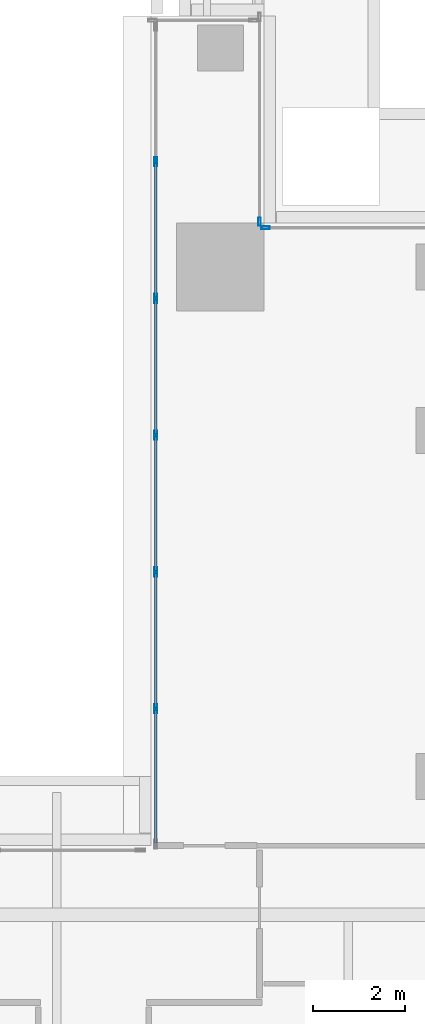
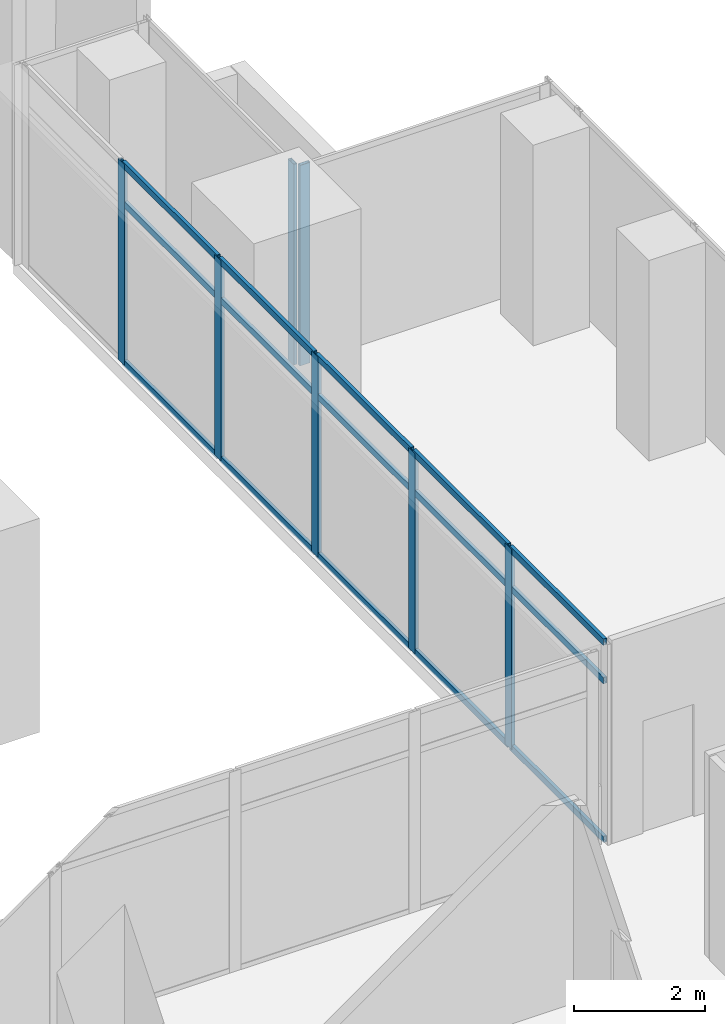
# One storey, part 23 of 43: 22 members, 3 elements without a shape of their own.
"""IFC4 building model written with IfcOpenShell, lengths in metres."""

import ifcopenshell
import ifcopenshell.guid

model = None  # the IFC model being written
_history = None  # IfcOwnerHistory: only IFC2X3 demands one
_inside = {}  # id of a spatial element -> (the spatial element, [elements in it])
_under = {}  # id of a project, library or spatial element -> (it, [spatial elements below it])
_declared = {}  # id of a project -> (the project, [libraries it declares])
_typed = {}  # id of a type object -> (the type object, [elements of that type])
_made_of = {}  # id of a material, layer set ... -> (it, [elements and type objects made of it])


def new_model(schema):
    """Start an empty IFC model of exactly this schema.

    Asked for "IFC4X3", IfcOpenShell would pick the latest addendum, in which some entities
    have other attributes; the version numbers below select the first issue.
    IFC2X3 requires an IfcOwnerHistory on every rooted entity: one is made here for all.
    """
    global model, _history
    if schema == "IFC4X3":
        model = ifcopenshell.file(schema_version=(4, 3, 0, 0))
    else:
        model = ifcopenshell.file(schema=schema)
    _inside.clear()
    _under.clear()
    _declared.clear()
    _typed.clear()
    _made_of.clear()
    _history = None
    if model.schema == "IFC2X3":
        org = make("IfcOrganization", Name="unknown")
        user = make(
            "IfcPersonAndOrganization",
            ThePerson=make("IfcPerson", FamilyName="unknown"),
            TheOrganization=org,
        )
        app = make(
            "IfcApplication",
            ApplicationDeveloper=org,
            Version="unknown",
            ApplicationFullName="unknown",
            ApplicationIdentifier="unknown",
        )
        _history = make(
            "IfcOwnerHistory",
            OwningUser=user,
            OwningApplication=app,
            ChangeAction="ADDED",
            CreationDate=0,
        )
    return model


def make(cls, **values):
    """One entity of the class cls with the attributes given. An attribute that is None is left unset."""
    return model.create_entity(
        cls, **{name: value for name, value in values.items() if value is not None}
    )


def rooted(cls, **values):
    """An entity with a GlobalId (a new one), such as an element, a storey or a relation."""
    return make(cls, GlobalId=ifcopenshell.guid.new(), OwnerHistory=_history, **values)


def si_unit(unit_type, name, prefix=None):
    """IfcSIUnit, for example si_unit("LENGTHUNIT", "METRE", prefix="MILLI")."""
    return make("IfcSIUnit", UnitType=unit_type, Prefix=prefix, Name=name)


def assignment(units):
    """IfcUnitAssignment: the units of a project."""
    return None if units is None else make("IfcUnitAssignment", Units=units)


def point(xyz):
    """IfcCartesianPoint."""
    return None if xyz is None else make("IfcCartesianPoint", Coordinates=xyz)


def direction(xyz):
    """IfcDirection."""
    return None if xyz is None else make("IfcDirection", DirectionRatios=xyz)


def frame(location, z_axis=None, x_axis=None):
    """IfcAxis2Placement3D, a coordinate frame: its origin and axes. An axis left out is left unset."""
    return make(
        "IfcAxis2Placement3D",
        Location=point(location),
        Axis=direction(z_axis),
        RefDirection=direction(x_axis),
    )


def frame_2d(location, x_axis=None):
    """IfcAxis2Placement2D, a coordinate frame in the plane: its origin and x axis."""
    return make(
        "IfcAxis2Placement2D", Location=point(location), RefDirection=direction(x_axis)
    )


def origin():
    """The frame at (0, 0, 0) with its axes left unset."""
    return frame((0.0, 0.0, 0.0))


def origin_2d():
    """The frame at (0, 0) in the plane with its x axis left unset."""
    return frame_2d((0.0, 0.0))


def place(relative_to, where):
    """IfcLocalPlacement: puts the frame where relative to a parent placement (None: the world)."""
    return make(
        "IfcLocalPlacement", PlacementRelTo=relative_to, RelativePlacement=where
    )


def context(
    kind, dimensions, precision=None, world=None, true_north=None, identifier=None
):
    """IfcGeometricRepresentationContext, for example the 3D "Model" context."""
    return make(
        "IfcGeometricRepresentationContext",
        ContextIdentifier=identifier,
        ContextType=kind,
        CoordinateSpaceDimension=dimensions,
        Precision=precision,
        WorldCoordinateSystem=world,
        TrueNorth=true_north,
    )


def subcontext(parent, identifier, kind, view, scale=None):
    """IfcGeometricRepresentationSubContext, for example "Body" below "Model"."""
    return make(
        "IfcGeometricRepresentationSubContext",
        ContextIdentifier=identifier,
        ContextType=kind,
        ParentContext=parent,
        TargetScale=scale,
        TargetView=view,
    )


def project(units=None, contexts=None):
    """IfcProject with its units and contexts."""
    return rooted(
        "IfcProject",
        Name="project",
        RepresentationContexts=contexts,
        UnitsInContext=assignment(units),
    )


def spatial(cls, under=None, at=None, **own):
    """A site, building, storey or space (cls), placed at a placement, below another one or the project."""
    s = rooted(cls, ObjectPlacement=at, **own)
    if under is not None:
        _under.setdefault(under.id(), (under, []))[1].append(s)
    return s


def profile(cls, at=None, kind="AREA", **sizes):
    """A parametric profile (cls). Its sizes go by their IFC names, for example OverallWidth=200.0."""
    return make(cls, ProfileType=kind, Position=at, **sizes)


def hollow_rectangle(**sizes):
    """IfcRectangleHollowProfileDef."""
    return profile("IfcRectangleHollowProfileDef", **sizes)


def extrude(swept, where, along, depth):
    """IfcExtrudedAreaSolid: the profile swept, set in the frame where, extruded along a direction by depth."""
    return make(
        "IfcExtrudedAreaSolid",
        SweptArea=swept,
        Position=where,
        ExtrudedDirection=direction(along),
        Depth=depth,
    )


def shape(context_of_items, identifier, shape_type, items):
    """IfcShapeRepresentation: the items that make up one representation, for example the "Body"."""
    return make(
        "IfcShapeRepresentation",
        ContextOfItems=context_of_items,
        RepresentationIdentifier=identifier,
        RepresentationType=shape_type,
        Items=items,
    )


def source(mapping_origin, context_of_items, identifier, shape_type, items):
    """IfcRepresentationMap: a shape defined once, which mapped items show again and again."""
    return make(
        "IfcRepresentationMap",
        MappingOrigin=mapping_origin,
        MappedRepresentation=shape(context_of_items, identifier, shape_type, items),
    )


def transform(
    local_origin,
    x_axis=None,
    y_axis=None,
    z_axis=None,
    scale=None,
    scale2=None,
    scale3=None,
    uniform=True,
):
    """IfcCartesianTransformationOperator3D, or its non-uniform kind. x_axis, y_axis, z_axis: its Axis1, 2, 3."""
    if uniform:
        return make(
            "IfcCartesianTransformationOperator3D",
            Axis1=direction(x_axis),
            Axis2=direction(y_axis),
            LocalOrigin=point(local_origin),
            Scale=scale,
            Axis3=direction(z_axis),
        )
    return make(
        "IfcCartesianTransformationOperator3DnonUniform",
        Axis1=direction(x_axis),
        Axis2=direction(y_axis),
        LocalOrigin=point(local_origin),
        Scale=scale,
        Axis3=direction(z_axis),
        Scale2=scale2,
        Scale3=scale3,
    )


def mapped(mapping_source, mapping_target):
    """IfcMappedItem: shows the shape of a source again, moved by a transform."""
    return make(
        "IfcMappedItem", MappingSource=mapping_source, MappingTarget=mapping_target
    )


def material(Name=None, Category=None):
    """IfcMaterial."""
    return make("IfcMaterial", Name=Name, Category=Category)


def material_profile(
    of_material, cross_section, Name=None, Category=None, Priority=None
):
    """IfcMaterialProfile: a cross section and its material."""
    return make(
        "IfcMaterialProfile",
        Name=Name,
        Material=of_material,
        Profile=cross_section,
        Priority=Priority,
        Category=Category,
    )


def profile_set(profiles, Name=None, composite=None):
    """IfcMaterialProfileSet."""
    return make(
        "IfcMaterialProfileSet",
        Name=Name,
        MaterialProfiles=profiles,
        CompositeProfile=composite,
    )


def made_of(thing, what):
    """Note that an element or type object is made of a material, layer set ...; save() writes the relation."""
    if what is not None:
        _made_of.setdefault(what.id(), (what, []))[1].append(thing)
    return thing


def type_object(cls, material=None, **own):
    """A type object (cls), such as IfcWallType, which elements share."""
    return made_of(rooted(cls, **own), material)


def element(
    cls,
    number,
    at=None,
    inside=None,
    cuts=None,
    type_object=None,
    material=None,
    context=None,
    identifier="Body",
    shape_type=None,
    held_by="IfcProductDefinitionShape",
    body=None,
    shapes=None,
    **own,
):
    """One element of the class cls, such as IfcWall. Its Tag is "e" and its number.

    at: its placement. inside: the storey or other place that contains it. cuts: it is an
    opening in that element (IfcRelVoidsElement). A single representation is given by context,
    identifier, shape_type and body (its items); several are given by shapes. held_by: the class
    of the entity that holds the representations. save() writes the other relations.
    """
    e = rooted(cls, Tag="e%d" % number, ObjectPlacement=at, **own)
    if body is not None:
        shapes = [shape(context, identifier, shape_type, body)]
    if shapes is not None:
        e.Representation = make(held_by, Representations=shapes)
    if inside is not None:
        _inside.setdefault(inside.id(), (inside, []))[1].append(e)
    if cuts is not None:
        rooted(
            "IfcRelVoidsElement", RelatingBuildingElement=cuts, RelatedOpeningElement=e
        )
    if type_object is not None:
        _typed.setdefault(type_object.id(), (type_object, []))[1].append(e)
    return made_of(e, material)


def aggregate(whole, parts):
    """IfcRelAggregates: a whole, such as a stair, and the parts it consists of."""
    return rooted("IfcRelAggregates", RelatingObject=whole, RelatedObjects=parts)


def save(model, path):
    """Write the relations noted so far, then the file.

    IfcRelAggregates (storeys below a building ...), IfcRelContainedInSpatialStructure (elements
    in a storey), IfcRelDefinesByType, IfcRelAssociatesMaterial and IfcRelDeclares: one each for
    every whole, place, type object, material and project.
    """
    for whole, parts in _under.values():
        aggregate(whole, parts)
    for where, things in _inside.values():
        rooted(
            "IfcRelContainedInSpatialStructure",
            RelatedElements=things,
            RelatingStructure=where,
        )
    for kind, things in _typed.values():
        rooted("IfcRelDefinesByType", RelatedObjects=things, RelatingType=kind)
    for what, things in _made_of.values():
        rooted("IfcRelAssociatesMaterial", RelatedObjects=things, RelatingMaterial=what)
    for by, libraries in _declared.values():
        rooted("IfcRelDeclares", RelatingContext=by, RelatedDefinitions=libraries)
    model.write(path)


model = new_model("IFC4")

# Units and contexts
model_context = context("Model", 3, precision=1e-05, world=origin(), true_north=direction((0.0, 1.0)))
body_context = subcontext(model_context, "Body", "Model", "MODEL_VIEW")
ifc_project = project(units=[si_unit("LENGTHUNIT", "METRE"), si_unit("AREAUNIT", "SQUARE_METRE"), si_unit("VOLUMEUNIT", "CUBIC_METRE"), si_unit("PLANEANGLEUNIT", "RADIAN"), si_unit("MASSUNIT", "GRAM", prefix="KILO")], contexts=[model_context])

# Site, building, storey
site_placement = place(None, origin())
site = spatial("IfcSite", under=ifc_project, at=site_placement, CompositionType="ELEMENT")
building_placement = place(site_placement, origin())
building = spatial("IfcBuilding", under=site, at=building_placement, Name="Khomas Fold Tower", CompositionType="ELEMENT")
storey_placement = place(building_placement, frame((0.0, 0.0, 164.699951171875)))
storey = spatial("IfcBuildingStorey", under=building, at=storey_placement, Name="L35", CompositionType="ELEMENT", Elevation=164.699951171875)

# Curtain wall, member
ifc_material_1 = material(Name="Aluminium framed double glazing", Category="aluminium")
curtain_wall_type_1 = type_object("IfcCurtainWallType", Name="SK-Unitised clear-glass wall, office floors CW2", PredefinedType="NOTDEFINED", material=ifc_material_1)
curtain_wall_1_placement = place(storey_placement, origin())
curtain_wall_1 = element("IfcCurtainWall", 1, at=curtain_wall_1_placement, inside=storey, type_object=curtain_wall_type_1, Name="CW2 corner return L35 09", PredefinedType="NOTDEFINED")
ifc_material_2 = material(Name="Aluminium", Category="aluminium")
ifc_material_profile_1 = material_profile(ifc_material_2, hollow_rectangle(XDim=0.06005859375, YDim=0.179931640625, WallThickness=0.00390625, at=origin_2d()), Name="SK-Unitised clear-glass wall, office floors mullion CW2-M")
ifc_profile_set_1 = profile_set([ifc_material_profile_1], Name="Aluminium")
member_type_1 = type_object("IfcMemberType", Name="SK-Unitised clear-glass wall, office floors mullion CW2-M", PredefinedType="MULLION", material=ifc_profile_set_1)
shared_shape_1 = source(origin(), body_context, "Body", "SweptSolid", [
    extrude(hollow_rectangle(XDim=0.06005859375, YDim=0.179931640625, WallThickness=0.00390625, at=origin_2d()), origin(), (0.0, 0.0, 1.0), 3.75),
])
member_1_placement = place(storey_placement, frame((46.530029296875, 46.39990234375, 0.0), z_axis=(0.0, 0.0, 1.0), x_axis=(0.0, -1.0, 0.0)))
member_1 = element("IfcMember", 2, at=member_1_placement, type_object=member_type_1, Name="CW2 mullion 2", PredefinedType="MULLION", context=body_context, shape_type="MappedRepresentation", body=[
    mapped(shared_shape_1, transform((0.0, 0.0, 0.0))),
])
aggregate(curtain_wall_1, [member_1])

curtain_wall_2_placement = place(storey_placement, origin())
curtain_wall_2 = element("IfcCurtainWall", 3, at=curtain_wall_2_placement, inside=storey, type_object=curtain_wall_type_1, Name="CW2 corner return L35 10", PredefinedType="NOTDEFINED")
member_2_placement = place(storey_placement, frame((46.39990234375, 46.530029296875, 0.0), z_axis=(0.0, 0.0, 1.0), x_axis=(-1.0, 0.0, 0.0)))
member_2 = element("IfcMember", 4, at=member_2_placement, type_object=member_type_1, Name="CW2 mullion 1", PredefinedType="MULLION", context=body_context, shape_type="MappedRepresentation", body=[
    mapped(shared_shape_1, transform((0.0, 0.0, 0.0))),
])
aggregate(curtain_wall_2, [member_2])

# Curtain wall, members
ifc_material_3 = material(Name="Aluminium framed double glazing", Category="aluminium")
curtain_wall_type_2 = type_object("IfcCurtainWallType", Name="Notch glazing GN-CW", PredefinedType="NOTDEFINED", material=ifc_material_3)
curtain_wall_3_placement = place(storey_placement, origin())
curtain_wall_3 = element("IfcCurtainWall", 5, at=curtain_wall_3_placement, inside=storey, type_object=curtain_wall_type_2, Name="Notch glazing run", PredefinedType="NOTDEFINED")
ifc_material_4 = material(Name="Aluminium", Category="aluminium")
ifc_material_profile_2 = material_profile(ifc_material_4, hollow_rectangle(XDim=0.06005859375, YDim=0.1201171875, WallThickness=0.00390625, at=origin_2d()), Name="Notch glazing transom GN-CW-T")
ifc_profile_set_2 = profile_set([ifc_material_profile_2], Name="Aluminium")
member_type_2 = type_object("IfcMemberType", Name="Notch glazing transom GN-CW-T", PredefinedType="USERDEFINED", material=ifc_profile_set_2)
shared_shape_2 = source(origin(), body_context, "Body", "SweptSolid", [
    extrude(hollow_rectangle(XDim=0.06005859375, YDim=0.1201171875, WallThickness=0.00390625, at=origin_2d()), origin(), (0.0, 0.0, 1.0), 2.876708984375),
])
member_3_placement = place(storey_placement, frame((44.14990234375, 35.936767578125, 0.030029296875), z_axis=(0.0, -1.0, 0.0), x_axis=(1.0, 0.0, 0.0)))
member_3 = element("IfcMember", 6, at=member_3_placement, type_object=member_type_2, Name="GN-CW transom 6.1", ObjectType="TRANSOM", PredefinedType="USERDEFINED", context=body_context, shape_type="MappedRepresentation", body=[
    mapped(shared_shape_2, transform((0.0, 0.0, 0.0))),
])
member_4_placement = place(storey_placement, frame((44.14990234375, 35.936767578125, 3.0), z_axis=(0.0, -1.0, 0.0), x_axis=(1.0, 0.0, 0.0)))
member_4 = element("IfcMember", 7, at=member_4_placement, type_object=member_type_2, Name="GN-CW transom 6.2", ObjectType="TRANSOM", PredefinedType="USERDEFINED", context=body_context, shape_type="MappedRepresentation", body=[
    mapped(shared_shape_2, transform((0.0, 0.0, 0.0))),
])
member_5_placement = place(storey_placement, frame((44.14990234375, 35.936767578125, 3.719970703125), z_axis=(0.0, -1.0, 0.0), x_axis=(1.0, 0.0, 0.0)))
member_5 = element("IfcMember", 8, at=member_5_placement, type_object=member_type_2, Name="GN-CW transom 6.3", ObjectType="TRANSOM", PredefinedType="USERDEFINED", context=body_context, shape_type="MappedRepresentation", body=[
    mapped(shared_shape_2, transform((0.0, 0.0, 0.0))),
])
shared_shape_3 = source(origin(), body_context, "Body", "SweptSolid", [
    extrude(hollow_rectangle(XDim=0.06005859375, YDim=0.1201171875, WallThickness=0.00390625, at=origin_2d()), origin(), (0.0, 0.0, 1.0), 2.90673828125),
])
member_6_placement = place(storey_placement, frame((44.14990234375, 44.836669921875, 0.030029296875), z_axis=(0.0, -1.0, 0.0), x_axis=(1.0, 0.0, 0.0)))
member_6 = element("IfcMember", 9, at=member_6_placement, type_object=member_type_2, Name="GN-CW transom 3.1", ObjectType="TRANSOM", PredefinedType="USERDEFINED", context=body_context, shape_type="MappedRepresentation", body=[
    mapped(shared_shape_3, transform((0.0, 0.0, 0.0))),
])
member_7_placement = place(storey_placement, frame((44.14990234375, 44.836669921875, 3.0), z_axis=(0.0, -1.0, 0.0), x_axis=(1.0, 0.0, 0.0)))
member_7 = element("IfcMember", 10, at=member_7_placement, type_object=member_type_2, Name="GN-CW transom 3.2", ObjectType="TRANSOM", PredefinedType="USERDEFINED", context=body_context, shape_type="MappedRepresentation", body=[
    mapped(shared_shape_3, transform((0.0, 0.0, 0.0))),
])
member_8_placement = place(storey_placement, frame((44.14990234375, 44.836669921875, 3.719970703125), z_axis=(0.0, -1.0, 0.0), x_axis=(1.0, 0.0, 0.0)))
member_8 = element("IfcMember", 11, at=member_8_placement, type_object=member_type_2, Name="GN-CW transom 3.3", ObjectType="TRANSOM", PredefinedType="USERDEFINED", context=body_context, shape_type="MappedRepresentation", body=[
    mapped(shared_shape_3, transform((0.0, 0.0, 0.0))),
])
member_9_placement = place(storey_placement, frame((44.14990234375, 41.8701171875, 0.030029296875), z_axis=(0.0, -1.0, 0.0), x_axis=(1.0, 0.0, 0.0)))
member_9 = element("IfcMember", 12, at=member_9_placement, type_object=member_type_2, Name="GN-CW transom 4.1", ObjectType="TRANSOM", PredefinedType="USERDEFINED", context=body_context, shape_type="MappedRepresentation", body=[
    mapped(shared_shape_3, transform((0.0, 0.0, 0.0))),
])
member_10_placement = place(storey_placement, frame((44.14990234375, 41.8701171875, 3.0), z_axis=(0.0, -1.0, 0.0), x_axis=(1.0, 0.0, 0.0)))
member_10 = element("IfcMember", 13, at=member_10_placement, type_object=member_type_2, Name="GN-CW transom 4.2", ObjectType="TRANSOM", PredefinedType="USERDEFINED", context=body_context, shape_type="MappedRepresentation", body=[
    mapped(shared_shape_3, transform((0.0, 0.0, 0.0))),
])
member_11_placement = place(storey_placement, frame((44.14990234375, 41.8701171875, 3.719970703125), z_axis=(0.0, -1.0, 0.0), x_axis=(1.0, 0.0, 0.0)))
member_11 = element("IfcMember", 14, at=member_11_placement, type_object=member_type_2, Name="GN-CW transom 4.3", ObjectType="TRANSOM", PredefinedType="USERDEFINED", context=body_context, shape_type="MappedRepresentation", body=[
    mapped(shared_shape_3, transform((0.0, 0.0, 0.0))),
])
member_12_placement = place(storey_placement, frame((44.14990234375, 38.9033203125, 0.030029296875), z_axis=(0.0, -1.0, 0.0), x_axis=(1.0, 0.0, 0.0)))
member_12 = element("IfcMember", 15, at=member_12_placement, type_object=member_type_2, Name="GN-CW transom 5.1", ObjectType="TRANSOM", PredefinedType="USERDEFINED", context=body_context, shape_type="MappedRepresentation", body=[
    mapped(shared_shape_3, transform((0.0, 0.0, 0.0))),
])
member_13_placement = place(storey_placement, frame((44.14990234375, 38.9033203125, 3.0), z_axis=(0.0, -1.0, 0.0), x_axis=(1.0, 0.0, 0.0)))
member_13 = element("IfcMember", 16, at=member_13_placement, type_object=member_type_2, Name="GN-CW transom 5.2", ObjectType="TRANSOM", PredefinedType="USERDEFINED", context=body_context, shape_type="MappedRepresentation", body=[
    mapped(shared_shape_3, transform((0.0, 0.0, 0.0))),
])
member_14_placement = place(storey_placement, frame((44.14990234375, 38.9033203125, 3.719970703125), z_axis=(0.0, -1.0, 0.0), x_axis=(1.0, 0.0, 0.0)))
member_14 = element("IfcMember", 17, at=member_14_placement, type_object=member_type_2, Name="GN-CW transom 5.3", ObjectType="TRANSOM", PredefinedType="USERDEFINED", context=body_context, shape_type="MappedRepresentation", body=[
    mapped(shared_shape_3, transform((0.0, 0.0, 0.0))),
])
shared_shape_4 = source(origin(), body_context, "Body", "SweptSolid", [
    extrude(hollow_rectangle(XDim=0.06005859375, YDim=0.1201171875, WallThickness=0.00390625, at=origin_2d()), origin(), (0.0, 0.0, 1.0), 2.906494140625),
])
member_15_placement = place(storey_placement, frame((44.14990234375, 47.80322265625, 0.030029296875), z_axis=(0.0, -1.0, 0.0), x_axis=(1.0, 0.0, 0.0)))
member_15 = element("IfcMember", 18, at=member_15_placement, type_object=member_type_2, Name="GN-CW transom 2.1", ObjectType="TRANSOM", PredefinedType="USERDEFINED", context=body_context, shape_type="MappedRepresentation", body=[
    mapped(shared_shape_4, transform((0.0, 0.0, 0.0))),
])
member_16_placement = place(storey_placement, frame((44.14990234375, 47.80322265625, 3.0), z_axis=(0.0, -1.0, 0.0), x_axis=(1.0, 0.0, 0.0)))
member_16 = element("IfcMember", 19, at=member_16_placement, type_object=member_type_2, Name="GN-CW transom 2.2", ObjectType="TRANSOM", PredefinedType="USERDEFINED", context=body_context, shape_type="MappedRepresentation", body=[
    mapped(shared_shape_4, transform((0.0, 0.0, 0.0))),
])
member_17_placement = place(storey_placement, frame((44.14990234375, 47.80322265625, 3.719970703125), z_axis=(0.0, -1.0, 0.0), x_axis=(1.0, 0.0, 0.0)))
member_17 = element("IfcMember", 20, at=member_17_placement, type_object=member_type_2, Name="GN-CW transom 2.3", ObjectType="TRANSOM", PredefinedType="USERDEFINED", context=body_context, shape_type="MappedRepresentation", body=[
    mapped(shared_shape_4, transform((0.0, 0.0, 0.0))),
])
ifc_material_5 = material(Name="Aluminium", Category="aluminium")
ifc_material_profile_3 = material_profile(ifc_material_5, hollow_rectangle(XDim=0.06005859375, YDim=0.199951171875, WallThickness=0.00390625, at=origin_2d()), Name="Notch glazing mullion GN-CW-M")
ifc_profile_set_3 = profile_set([ifc_material_profile_3], Name="Aluminium")
member_type_3 = type_object("IfcMemberType", Name="Notch glazing mullion GN-CW-M", PredefinedType="MULLION", material=ifc_profile_set_3)
shared_shape_5 = source(origin(), body_context, "Body", "SweptSolid", [
    extrude(hollow_rectangle(XDim=0.06005859375, YDim=0.199951171875, WallThickness=0.00390625, at=origin_2d()), origin(), (0.0, 0.0, 1.0), 3.75),
])
member_18_placement = place(storey_placement, frame((44.14990234375, 47.833251953125, 0.0), z_axis=(0.0, 0.0, 1.0), x_axis=(1.0, 0.0, 0.0)))
member_18 = element("IfcMember", 21, at=member_18_placement, type_object=member_type_3, Name="GN-CW mullion 2", PredefinedType="MULLION", context=body_context, shape_type="MappedRepresentation", body=[
    mapped(shared_shape_5, transform((0.0, 0.0, 0.0))),
])
member_19_placement = place(storey_placement, frame((44.14990234375, 44.86669921875, 0.0), z_axis=(0.0, 0.0, 1.0), x_axis=(1.0, 0.0, 0.0)))
member_19 = element("IfcMember", 22, at=member_19_placement, type_object=member_type_3, Name="GN-CW mullion 3", PredefinedType="MULLION", context=body_context, shape_type="MappedRepresentation", body=[
    mapped(shared_shape_5, transform((0.0, 0.0, 0.0))),
])
member_20_placement = place(storey_placement, frame((44.14990234375, 41.89990234375, 0.0), z_axis=(0.0, 0.0, 1.0), x_axis=(1.0, 0.0, 0.0)))
member_20 = element("IfcMember", 23, at=member_20_placement, type_object=member_type_3, Name="GN-CW mullion 4", PredefinedType="MULLION", context=body_context, shape_type="MappedRepresentation", body=[
    mapped(shared_shape_5, transform((0.0, 0.0, 0.0))),
])
member_21_placement = place(storey_placement, frame((44.14990234375, 38.933349609375, 0.0), z_axis=(0.0, 0.0, 1.0), x_axis=(1.0, 0.0, 0.0)))
member_21 = element("IfcMember", 24, at=member_21_placement, type_object=member_type_3, Name="GN-CW mullion 5", PredefinedType="MULLION", context=body_context, shape_type="MappedRepresentation", body=[
    mapped(shared_shape_5, transform((0.0, 0.0, 0.0))),
])
member_22_placement = place(storey_placement, frame((44.14990234375, 35.966552734375, 0.0), z_axis=(0.0, 0.0, 1.0), x_axis=(1.0, 0.0, 0.0)))
member_22 = element("IfcMember", 25, at=member_22_placement, type_object=member_type_3, Name="GN-CW mullion 6", PredefinedType="MULLION", context=body_context, shape_type="MappedRepresentation", body=[
    mapped(shared_shape_5, transform((0.0, 0.0, 0.0))),
])
aggregate(curtain_wall_3, [member_18, member_19, member_20, member_21, member_22, member_15, member_16, member_17, member_6, member_7, member_8, member_9, member_10, member_11, member_12, member_13, member_14, member_3, member_4, member_5])

save(model, "model.ifc")
